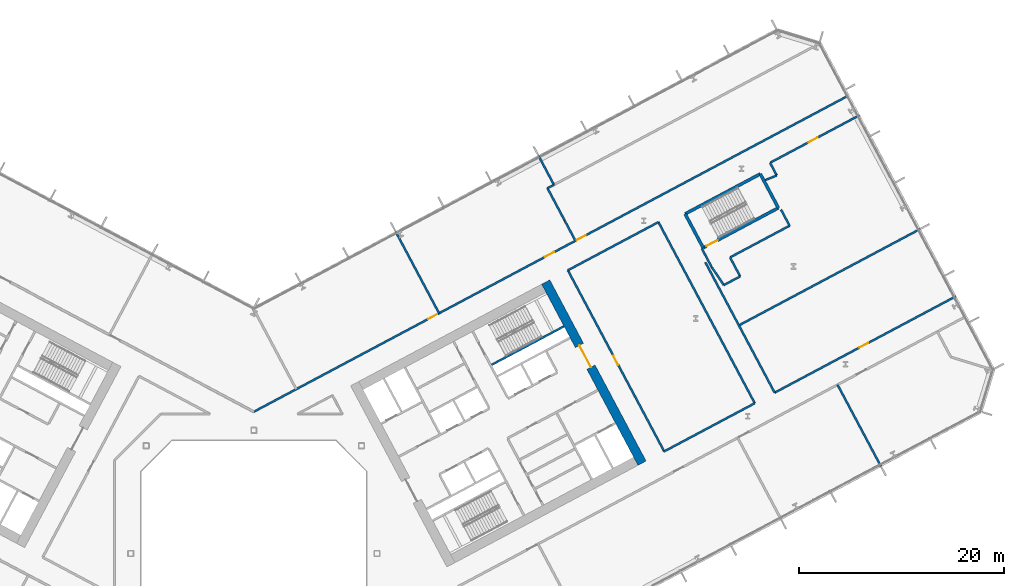
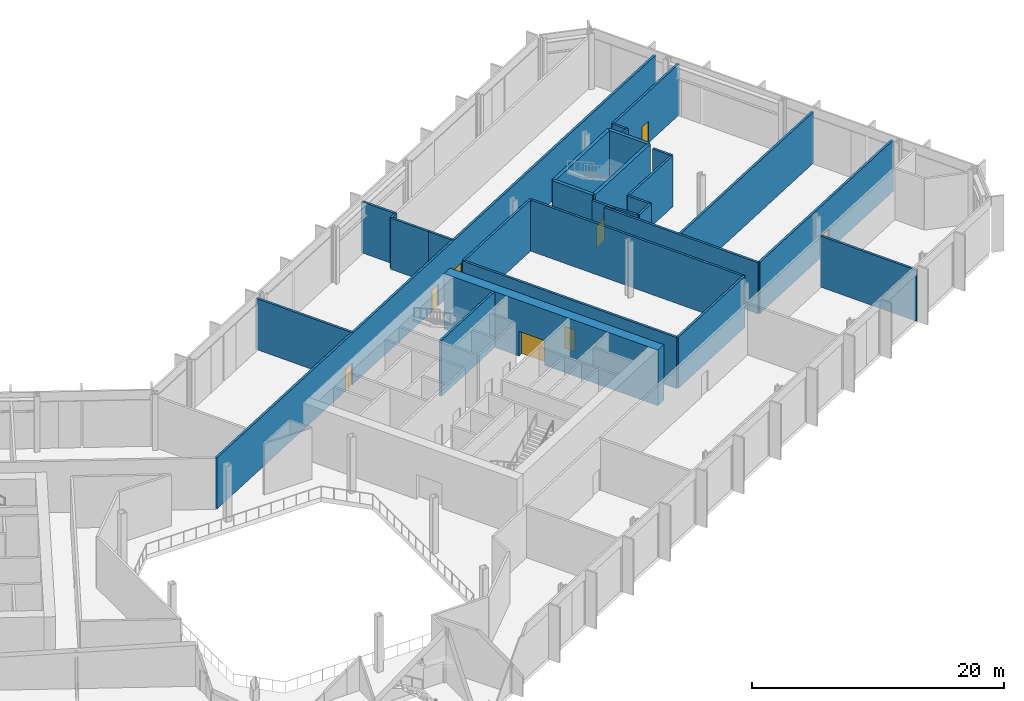
# One storey, part 17 of 32: 29 walls, 8 doors, 8 openings.
"""IFC4 building model written with IfcOpenShell, lengths in metres."""

from ifc_helpers import new_model, si_unit, direction, frame, frame_2d, origin, place, context, subcontext, project, spatial, rectangle, extrude, material, layer, layer_set, type_object, element, fill, save


model = new_model("IFC4")

# Units and contexts
model_context = context("Model", 3, precision=1e-05, world=origin(), true_north=direction((0.0, 1.0)))
body_context = subcontext(model_context, "Body", "Model", "MODEL_VIEW")
ifc_project = project(units=[si_unit("LENGTHUNIT", "METRE"), si_unit("AREAUNIT", "SQUARE_METRE"), si_unit("VOLUMEUNIT", "CUBIC_METRE"), si_unit("PLANEANGLEUNIT", "RADIAN"), si_unit("MASSUNIT", "GRAM", prefix="KILO")], contexts=[model_context])

# Site, building, storey
site_placement = place(None, origin())
site = spatial("IfcSite", under=ifc_project, at=site_placement, CompositionType="ELEMENT")
building_placement = place(site_placement, origin())
building = spatial("IfcBuilding", under=site, at=building_placement, Name="Cormorant Relay Tower", CompositionType="ELEMENT")
storey_placement = place(building_placement, frame((0.0, 0.0, 39.199951171875)))
storey = spatial("IfcBuildingStorey", under=building, at=storey_placement, Name="L07", CompositionType="ELEMENT", Elevation=39.199951171875)

# Wall
ifc_material_1 = material(Name="Concrete 50 MPa", Category="concrete")
ifc_layer_1 = layer(ifc_material_1, 0.199951171875)
ifc_layer_set_1 = layer_set([ifc_layer_1], Name="Core shaft wall 200")
wall_type_1 = type_object("IfcWallType", Name="Core shaft wall 200", PredefinedType="SHEAR", material=ifc_layer_set_1)
wall_1_placement = place(storey_placement, frame((23.18212890625, 18.385498046875, 0.0), z_axis=(0.0, 0.0, 1.0), x_axis=(0.88295287151, 0.469461634952, 0.0)))
element("IfcWall", 1, at=wall_1_placement, inside=storey, type_object=wall_type_1, Name="L07 core B shaft wall", PredefinedType="SHEAR", context=body_context, shape_type="SweptSolid", body=[
    extrude(rectangle(XDim=7.999755859375, YDim=0.199951171875, at=frame_2d((4.0, 0.0))), origin(), (0.0, 0.0, 1.0), 5.400146484375),
])

# Wall, opening, door
ifc_material_2 = material(Name="Concrete 70 MPa", Category="concrete")
ifc_layer_2 = layer(ifc_material_2, 0.89990234375)
ifc_layer_set_2 = layer_set([ifc_layer_2], Name="Core wall 900")
wall_type_2 = type_object("IfcWallType", Name="Core wall 900", PredefinedType="SHEAR", material=ifc_layer_set_2)
wall_2_placement = place(storey_placement, frame((37.849365234375, 8.799072265625, 0.0), z_axis=(0.0, 0.0, 1.0), x_axis=(-0.469465789982, 0.882950662289, 0.0)))
wall_2 = element("IfcWall", 2, at=wall_2_placement, inside=storey, type_object=wall_type_2, Name="L07 core B wall", PredefinedType="SHEAR", context=body_context, shape_type="SweptSolid", body=[
    extrude(rectangle(XDim=20.000244140625, YDim=0.89990234375, at=frame_2d((10.0, 0.0))), origin(), (0.0, 0.0, 1.0), 5.400146484375),
])
opening_1_placement = place(wall_2_placement, frame((10.60009765625, 0.0, 0.0)))
opening_1 = element("IfcOpeningElement", 3, at=opening_1_placement, cuts=wall_2, Name="Opening CDA-016", PredefinedType="OPENING", context=body_context, shape_type="SweptSolid", body=[
    extrude(rectangle(XDim=2.39990234375, YDim=2.39990234375, at=frame_2d((1.199951171875, 1.199951171875))), frame((0.0, 0.4599609375, 0.0), z_axis=(0.0, -1.0, 0.0), x_axis=(1.0, 0.0, 0.0)), (0.0, 0.0, 1.0), 0.919921875),
])
ifc_material_3 = material(Name="Steel fire door", Category="steel")
door_type_1 = type_object("IfcDoorType", Name="Core lobby door 2400x2400", OperationType="DOUBLE_DOOR_SINGLE_SWING", PredefinedType="DOOR", material=ifc_material_3)
door_1_placement = place(opening_1_placement, origin())
door_1 = element("IfcDoor", 4, at=door_1_placement, inside=storey, type_object=door_type_1, Name="Core lobby door 2400x2400", OperationType="DOUBLE_DOOR_SINGLE_SWING", OverallHeight=2.39990234375, OverallWidth=2.39990234375, PredefinedType="DOOR", context=body_context, shape_type="SweptSolid", body=[
    extrude(rectangle(XDim=2.39990234375, YDim=2.39990234375, at=frame_2d((1.199951171875, 1.199951171875))), frame((0.0, 0.02490234375, 0.0), z_axis=(0.0, -1.0, 0.0), x_axis=(1.0, 0.0, 0.0)), (0.0, 0.0, 1.0), 0.050048828125),
])
fill(opening_1, door_1)

# Wall, openings, doors
ifc_material_4 = material(Name="Fire-rated gypsum board partition")
ifc_layer_3 = layer(ifc_material_4, 0.199951171875)
ifc_layer_set_3 = layer_set([ifc_layer_3], Name="Fire-rated gypsum partition 200")
wall_type_3 = type_object("IfcWallType", Name="Fire-rated gypsum partition 200", PredefinedType="PARTITIONING", material=ifc_layer_set_3)
wall_3_placement = place(storey_placement, frame((0.0, 13.81494140625, 0.0), z_axis=(0.0, 0.0, 1.0), x_axis=(0.882946053005, 0.469474458819, 0.0)))
wall_3 = element("IfcWall", 5, at=wall_3_placement, inside=storey, type_object=wall_type_3, Name="wall/L07/part/9", PredefinedType="PARTITIONING", context=body_context, shape_type="SweptSolid", body=[
    extrude(rectangle(XDim=65.714111328125, YDim=0.199951171875, at=frame_2d((32.85693359375, 0.0))), origin(), (0.0, 0.0, 1.0), 4.949951171875),
])
opening_2_placement = place(wall_3_placement, frame((35.64990234375, 0.0, 0.0)))
opening_2 = element("IfcOpeningElement", 6, at=opening_2_placement, cuts=wall_3, Name="Opening FD1-041", PredefinedType="OPENING", context=body_context, shape_type="SweptSolid", body=[
    extrude(rectangle(XDim=1.0, YDim=2.10009765625, at=frame_2d((0.5, 1.050048828125))), frame((0.0, 0.10986328125, 0.0), z_axis=(0.0, -1.0, 0.0), x_axis=(1.0, 0.0, 0.0)), (0.0, 0.0, 1.0), 0.219970703125),
])
opening_3_placement = place(wall_3_placement, frame((32.14990234375, 0.0, 0.0)))
opening_3 = element("IfcOpeningElement", 7, at=opening_3_placement, cuts=wall_3, Name="Opening FD1-042", PredefinedType="OPENING", context=body_context, shape_type="SweptSolid", body=[
    extrude(rectangle(XDim=1.0, YDim=2.10009765625, at=frame_2d((0.5, 1.050048828125))), frame((0.0, 0.10986328125, 0.0), z_axis=(0.0, -1.0, 0.0), x_axis=(1.0, 0.0, 0.0)), (0.0, 0.0, 1.0), 0.219970703125),
])
opening_4_placement = place(wall_3_placement, frame((19.25, 0.0, 0.0)))
opening_4 = element("IfcOpeningElement", 8, at=opening_4_placement, cuts=wall_3, Name="Opening FD1-043", PredefinedType="OPENING", context=body_context, shape_type="SweptSolid", body=[
    extrude(rectangle(XDim=1.0, YDim=2.10009765625, at=frame_2d((0.5, 1.050048828125))), frame((0.0, 0.10986328125, 0.0), z_axis=(0.0, -1.0, 0.0), x_axis=(1.0, 0.0, 0.0)), (0.0, 0.0, 1.0), 0.219970703125),
])
ifc_material_5 = material(Name="Fire-rated steel door", Category="steel")
door_type_2 = type_object("IfcDoorType", Name="Fire door 1000 x 2100", OperationType="SINGLE_SWING_LEFT", PredefinedType="DOOR", material=ifc_material_5)
door_2_placement = place(opening_2_placement, origin())
door_2 = element("IfcDoor", 9, at=door_2_placement, inside=storey, type_object=door_type_2, Name="door/L07/4", OperationType="SINGLE_SWING_LEFT", OverallHeight=2.10009765625, OverallWidth=1.0, PredefinedType="DOOR", context=body_context, shape_type="SweptSolid", body=[
    extrude(rectangle(XDim=1.0, YDim=2.10009765625, at=frame_2d((0.5, 1.050048828125))), frame((0.0, 0.02490234375, 0.0), z_axis=(0.0, -1.0, 0.0), x_axis=(1.0, 0.0, 0.0)), (0.0, 0.0, 1.0), 0.050048828125),
])
fill(opening_2, door_2)
door_3_placement = place(opening_3_placement, origin())
door_3 = element("IfcDoor", 10, at=door_3_placement, inside=storey, type_object=door_type_2, Name="door/L07/5", OperationType="SINGLE_SWING_LEFT", OverallHeight=2.10009765625, OverallWidth=1.0, PredefinedType="DOOR", context=body_context, shape_type="SweptSolid", body=[
    extrude(rectangle(XDim=1.0, YDim=2.10009765625, at=frame_2d((0.5, 1.050048828125))), frame((0.0, 0.02490234375, 0.0), z_axis=(0.0, -1.0, 0.0), x_axis=(1.0, 0.0, 0.0)), (0.0, 0.0, 1.0), 0.050048828125),
])
fill(opening_3, door_3)
door_4_placement = place(opening_4_placement, origin())
door_4 = element("IfcDoor", 11, at=door_4_placement, inside=storey, type_object=door_type_2, Name="door/L07/6", OperationType="SINGLE_SWING_RIGHT", OverallHeight=2.10009765625, OverallWidth=1.0, PredefinedType="DOOR", context=body_context, shape_type="SweptSolid", body=[
    extrude(rectangle(XDim=1.0, YDim=2.10009765625, at=frame_2d((0.5, 1.050048828125))), frame((0.0, 0.02490234375, 0.0), z_axis=(0.0, -1.0, 0.0), x_axis=(1.0, 0.0, 0.0)), (0.0, 0.0, 1.0), 0.050048828125),
])
fill(opening_4, door_4)

# Walls
wall_4_placement = place(storey_placement, frame((13.833984375, 31.365966796875, 0.0), z_axis=(0.0, 0.0, 1.0), x_axis=(0.46934623538, -0.883014219214, 0.0)))
element("IfcWall", 12, at=wall_4_placement, inside=storey, type_object=wall_type_3, Name="wall/L07/part/26", PredefinedType="PARTITIONING", context=body_context, shape_type="SweptSolid", body=[
    extrude(rectangle(XDim=9.002197265625, YDim=0.199951171875, at=frame_2d((4.5009765625, 0.0))), origin(), (0.0, 0.0, 1.0), 4.949951171875),
])
wall_5_placement = place(storey_placement, frame((30.306884765625, 32.4619140625, 0.0), z_axis=(0.0, 0.0, 1.0), x_axis=(0.469652813312, -0.882851196379, 0.0)))
element("IfcWall", 13, at=wall_5_placement, inside=storey, type_object=wall_type_3, Name="wall/L07/part/34", PredefinedType="PARTITIONING", context=body_context, shape_type="SweptSolid", body=[
    extrude(rectangle(XDim=2.23583984375, YDim=0.199951171875, at=frame_2d((1.117919921875, 0.0))), origin(), (0.0, 0.0, 1.0), 4.949951171875),
])
wall_6_placement = place(storey_placement, frame((27.760009765625, 38.77099609375, 0.0), z_axis=(0.0, 0.0, 1.0), x_axis=(0.469320691295, -0.883027796121, 0.0)))
element("IfcWall", 14, at=wall_6_placement, inside=storey, type_object=wall_type_3, Name="wall/L07/part/36", PredefinedType="PARTITIONING", context=body_context, shape_type="SweptSolid", body=[
    extrude(rectangle(XDim=3.2001953125, YDim=0.199951171875, at=frame_2d((1.60009765625, 0.0))), origin(), (0.0, 0.0, 1.0), 4.949951171875),
])
wall_7_placement = place(storey_placement, frame((30.306884765625, 32.4619140625, 0.0), z_axis=(0.0, 0.0, 1.0), x_axis=(-0.469337071246, 0.883019090141, 0.0)))
element("IfcWall", 15, at=wall_7_placement, inside=storey, type_object=wall_type_3, Name="wall/L07/part/38", PredefinedType="PARTITIONING", context=body_context, shape_type="SweptSolid", body=[
    extrude(rectangle(XDim=3.56640625, YDim=0.199951171875, at=frame_2d((1.783203125, 0.0))), origin(), (0.0, 0.0, 1.0), 4.949951171875),
])
wall_8_placement = place(storey_placement, frame((28.633056640625, 35.611083984375, 0.0), z_axis=(0.0, 0.0, 1.0), x_axis=(0.882581167339, 0.470160061106, 0.0)))
element("IfcWall", 16, at=wall_8_placement, inside=storey, type_object=wall_type_3, Name="wall/L07/part/39", PredefinedType="PARTITIONING", context=body_context, shape_type="SweptSolid", body=[
    extrude(rectangle(XDim=0.71044921875, YDim=0.199951171875, at=frame_2d((0.355224609375, 0.0))), origin(), (0.0, 0.0, 1.0), 4.949951171875),
])
wall_9_placement = place(storey_placement, frame((44.028076171875, 28.3798828125, 0.0), z_axis=(0.0, 0.0, 1.0), x_axis=(0.469474817112, -0.882945862495, 0.0)))
element("IfcWall", 17, at=wall_9_placement, inside=storey, type_object=wall_type_3, Name="wall/L07/part/41", PredefinedType="PARTITIONING", context=body_context, shape_type="SweptSolid", body=[
    extrude(rectangle(XDim=14.39013671875, YDim=0.199951171875, at=frame_2d((7.195068359375, 0.0))), origin(), (0.0, 0.0, 1.0), 4.949951171875),
])

# Wall, opening, door
wall_10_placement = place(storey_placement, frame((50.783935546875, 15.674072265625, 0.0), z_axis=(0.0, 0.0, 1.0), x_axis=(0.882931064856, 0.469502646119, 0.0)))
wall_10 = element("IfcWall", 18, at=wall_10_placement, inside=storey, type_object=wall_type_3, Name="wall/L07/part/42", PredefinedType="PARTITIONING", context=body_context, shape_type="SweptSolid", body=[
    extrude(rectangle(XDim=20.001708984375, YDim=0.199951171875, at=frame_2d((10.0009765625, 0.0))), origin(), (0.0, 0.0, 1.0), 4.949951171875),
])
opening_5_placement = place(wall_10_placement, frame((9.35009765625, 0.0, 0.0)))
opening_5 = element("IfcOpeningElement", 19, at=opening_5_placement, cuts=wall_10, Name="Opening FD1-038", PredefinedType="OPENING", context=body_context, shape_type="SweptSolid", body=[
    extrude(rectangle(XDim=1.0, YDim=2.10009765625, at=frame_2d((0.5, 1.050048828125))), frame((0.0, 0.10986328125, 0.0), z_axis=(0.0, -1.0, 0.0), x_axis=(1.0, 0.0, 0.0)), (0.0, 0.0, 1.0), 0.219970703125),
])
door_5_placement = place(opening_5_placement, origin())
door_5 = element("IfcDoor", 20, at=door_5_placement, inside=storey, type_object=door_type_2, Name="door/L07/21", OperationType="SINGLE_SWING_LEFT", OverallHeight=2.10009765625, OverallWidth=1.0, PredefinedType="DOOR", context=body_context, shape_type="SweptSolid", body=[
    extrude(rectangle(XDim=1.0, YDim=2.10009765625, at=frame_2d((0.5, 1.050048828125))), frame((0.0, 0.02490234375, 0.0), z_axis=(0.0, -1.0, 0.0), x_axis=(1.0, 0.0, 0.0)), (0.0, 0.0, 1.0), 0.050048828125),
])
fill(opening_5, door_5)

# Walls
wall_11_placement = place(storey_placement, frame((64.9560546875, 31.625, 0.0), z_axis=(0.0, 0.0, 1.0), x_axis=(-0.882962064064, -0.469444345396, 0.0)))
element("IfcWall", 21, at=wall_11_placement, inside=storey, type_object=wall_type_3, Name="wall/L07/part/43", PredefinedType="PARTITIONING", context=body_context, shape_type="SweptSolid", body=[
    extrude(rectangle(XDim=20.002197265625, YDim=0.199951171875, at=frame_2d((10.0009765625, 0.0))), origin(), (0.0, 0.0, 1.0), 4.949951171875),
])
wall_12_placement = place(storey_placement, frame((44.641357421875, 27.9248046875, 0.0), z_axis=(0.0, 0.0, 1.0), x_axis=(-0.469289400299, 0.88304442627, 0.0)))
element("IfcWall", 22, at=wall_12_placement, inside=storey, type_object=wall_type_3, Name="wall/L07/part/44", PredefinedType="PARTITIONING", context=body_context, shape_type="SweptSolid", body=[
    extrude(rectangle(XDim=2.039794921875, YDim=0.199951171875, at=frame_2d((1.02001953125, 0.0))), origin(), (0.0, 0.0, 1.0), 4.949951171875),
])
wall_13_placement = place(storey_placement, frame((46.43603515625, 28.863037109375, 0.0), z_axis=(0.0, 0.0, 1.0), x_axis=(0.469342548312, -0.883016178982, 0.0)))
element("IfcWall", 23, at=wall_13_placement, inside=storey, type_object=wall_type_3, Name="wall/L07/part/45", PredefinedType="PARTITIONING", context=body_context, shape_type="SweptSolid", body=[
    extrude(rectangle(XDim=2.09619140625, YDim=0.199951171875, at=frame_2d((1.048095703125, 0.0))), origin(), (0.0, 0.0, 1.0), 4.949951171875),
])
wall_14_placement = place(storey_placement, frame((47.419921875, 27.011962890625, 0.0), z_axis=(0.0, 0.0, 1.0), x_axis=(-0.882911879422, -0.469538723829, 0.0)))
element("IfcWall", 24, at=wall_14_placement, inside=storey, type_object=wall_type_3, Name="wall/L07/part/46", PredefinedType="PARTITIONING", context=body_context, shape_type="SweptSolid", body=[
    extrude(rectangle(XDim=1.799560546875, YDim=0.199951171875, at=frame_2d((0.89990234375, 0.0))), origin(), (0.0, 0.0, 1.0), 4.949951171875),
])
wall_15_placement = place(storey_placement, frame((45.8310546875, 26.1669921875, 0.0), z_axis=(0.0, 0.0, 1.0), x_axis=(-0.560924797645, 0.827866759441, 0.0)))
element("IfcWall", 25, at=wall_15_placement, inside=storey, type_object=wall_type_3, Name="wall/L07/part/47", PredefinedType="PARTITIONING", context=body_context, shape_type="SweptSolid", body=[
    extrude(rectangle(XDim=2.11279296875, YDim=0.199951171875, at=frame_2d((1.056396484375, 0.0))), origin(), (0.0, 0.0, 1.0), 4.949951171875),
])
wall_16_placement = place(storey_placement, frame((51.404052734375, 33.52490234375, 0.0), z_axis=(0.0, 0.0, 1.0), x_axis=(0.469078340822, -0.883156560396, 0.0)))
element("IfcWall", 26, at=wall_16_placement, inside=storey, type_object=wall_type_3, Name="wall/L07/part/48", PredefinedType="PARTITIONING", context=body_context, shape_type="SweptSolid", body=[
    extrude(rectangle(XDim=1.780029296875, YDim=0.199951171875, at=frame_2d((0.89013671875, 0.0))), origin(), (0.0, 0.0, 1.0), 4.949951171875),
])
wall_17_placement = place(storey_placement, frame((52.239013671875, 31.952880859375, 0.0), z_axis=(0.0, 0.0, 1.0), x_axis=(-0.882908561856, -0.469544962065, 0.0)))
element("IfcWall", 27, at=wall_17_placement, inside=storey, type_object=wall_type_3, Name="wall/L07/part/49", PredefinedType="PARTITIONING", context=body_context, shape_type="SweptSolid", body=[
    extrude(rectangle(XDim=6.548828125, YDim=0.199951171875, at=frame_2d((3.2744140625, 0.0))), origin(), (0.0, 0.0, 1.0), 4.949951171875),
])
wall_18_placement = place(storey_placement, frame((49.859130859375, 36.397216796875, 0.0), z_axis=(0.0, 0.0, 1.0), x_axis=(0.927439235731, 0.373973881477, 0.0)))
element("IfcWall", 28, at=wall_18_placement, inside=storey, type_object=wall_type_3, Name="wall/L07/part/50", PredefinedType="PARTITIONING", context=body_context, shape_type="SweptSolid", body=[
    extrude(rectangle(XDim=1.221435546875, YDim=0.199951171875, at=frame_2d((0.61083984375, 0.0))), origin(), (0.0, 0.0, 1.0), 4.949951171875),
])
wall_19_placement = place(storey_placement, frame((50.3369140625, 38.0869140625, 0.0), z_axis=(0.0, 0.0, 1.0), x_axis=(0.469436222784, -0.882966382564, 0.0)))
element("IfcWall", 29, at=wall_19_placement, inside=storey, type_object=wall_type_3, Name="wall/L07/part/51", PredefinedType="PARTITIONING", context=body_context, shape_type="SweptSolid", body=[
    extrude(rectangle(XDim=1.3974609375, YDim=0.199951171875, at=frame_2d((0.69873046875, 0.0))), origin(), (0.0, 0.0, 1.0), 4.949951171875),
])

# Wall, opening, door
wall_20_placement = place(storey_placement, frame((50.3349609375, 38.091064453125, 0.0), z_axis=(0.0, 0.0, 1.0), x_axis=(0.882925167554, 0.46951373622, 0.0)))
wall_20 = element("IfcWall", 30, at=wall_20_placement, inside=storey, type_object=wall_type_3, Name="wall/L07/part/52", PredefinedType="PARTITIONING", context=body_context, shape_type="SweptSolid", body=[
    extrude(rectangle(XDim=9.8740234375, YDim=0.199951171875, at=frame_2d((4.93701171875, 0.0))), origin(), (0.0, 0.0, 1.0), 4.949951171875),
])
opening_6_placement = place(wall_20_placement, frame((4.25, 0.0, 0.0)))
opening_6 = element("IfcOpeningElement", 31, at=opening_6_placement, cuts=wall_20, Name="Opening FD1-039", PredefinedType="OPENING", context=body_context, shape_type="SweptSolid", body=[
    extrude(rectangle(XDim=1.0, YDim=2.10009765625, at=frame_2d((0.5, 1.050048828125))), frame((0.0, 0.10986328125, 0.0), z_axis=(0.0, -1.0, 0.0), x_axis=(1.0, 0.0, 0.0)), (0.0, 0.0, 1.0), 0.219970703125),
])
door_6_placement = place(opening_6_placement, frame((1.0, 0.0, 0.0), z_axis=(0.0, 0.0, 1.0), x_axis=(-1.0, 0.0, 0.0)))
door_6 = element("IfcDoor", 32, at=door_6_placement, inside=storey, type_object=door_type_2, Name="door/L07/22", OperationType="SINGLE_SWING_RIGHT", OverallHeight=2.10009765625, OverallWidth=1.0, PredefinedType="DOOR", context=body_context, shape_type="SweptSolid", body=[
    extrude(rectangle(XDim=1.0, YDim=2.10009765625, at=frame_2d((0.5, 1.050048828125))), frame((0.0, 0.02490234375, 0.0), z_axis=(0.0, -1.0, 0.0), x_axis=(1.0, 0.0, 0.0)), (0.0, 0.0, 1.0), 0.050048828125),
])
fill(opening_6, door_6)

# Walls
wall_21_placement = place(storey_placement, frame((56.916015625, 16.447998046875, 0.0), z_axis=(0.0, 0.0, 1.0), x_axis=(0.469430813661, -0.882969258347, 0.0)))
element("IfcWall", 33, at=wall_21_placement, inside=storey, type_object=wall_type_3, Name="wall/L07/part/53", PredefinedType="PARTITIONING", context=body_context, shape_type="SweptSolid", body=[
    extrude(rectangle(XDim=9.00244140625, YDim=0.199951171875, at=frame_2d((4.501220703125, 0.0))), origin(), (0.0, 0.0, 1.0), 4.949951171875),
])
wall_22_placement = place(storey_placement, frame((30.6201171875, 27.60888671875, 0.0), z_axis=(0.0, 0.0, 1.0), x_axis=(0.882924481944, 0.469515025515, 0.0)))
element("IfcWall", 34, at=wall_22_placement, inside=storey, type_object=wall_type_3, Name="wall/L07/part/65", PredefinedType="PARTITIONING", context=body_context, shape_type="SweptSolid", body=[
    extrude(rectangle(XDim=10.00390625, YDim=0.199951171875, at=frame_2d((5.001953125, 0.0))), origin(), (0.0, 0.0, 1.0), 4.949951171875),
])
wall_23_placement = place(storey_placement, frame((39.452880859375, 32.305908203125, 0.0), z_axis=(0.0, 0.0, 1.0), x_axis=(0.469494565876, -0.882935361514, 0.0)))
element("IfcWall", 35, at=wall_23_placement, inside=storey, type_object=wall_type_3, Name="wall/L07/part/66", PredefinedType="PARTITIONING", context=body_context, shape_type="SweptSolid", body=[
    extrude(rectangle(XDim=20.004638671875, YDim=0.199951171875, at=frame_2d((10.00244140625, 0.0))), origin(), (0.0, 0.0, 1.0), 4.949951171875),
])
wall_24_placement = place(storey_placement, frame((48.844970703125, 14.64306640625, 0.0), z_axis=(0.0, 0.0, 1.0), x_axis=(-0.882970325556, -0.469428806304, 0.0)))
element("IfcWall", 36, at=wall_24_placement, inside=storey, type_object=wall_type_3, Name="wall/L07/part/67", PredefinedType="PARTITIONING", context=body_context, shape_type="SweptSolid", body=[
    extrude(rectangle(XDim=10.003662109375, YDim=0.199951171875, at=frame_2d((5.001953125, 0.0))), origin(), (0.0, 0.0, 1.0), 4.949951171875),
])

# Wall, opening, door
wall_25_placement = place(storey_placement, frame((40.011962890625, 9.947021484375, 0.0), z_axis=(0.0, 0.0, 1.0), x_axis=(-0.469505288447, 0.882929659781, 0.0)))
wall_25 = element("IfcWall", 37, at=wall_25_placement, inside=storey, type_object=wall_type_3, Name="wall/L07/part/68", PredefinedType="PARTITIONING", context=body_context, shape_type="SweptSolid", body=[
    extrude(rectangle(XDim=20.003662109375, YDim=0.199951171875, at=frame_2d((10.001953125, 0.0))), origin(), (0.0, 0.0, 1.0), 4.949951171875),
])
opening_7_placement = place(wall_25_placement, frame((9.550048828125, 0.0, 0.0)))
opening_7 = element("IfcOpeningElement", 38, at=opening_7_placement, cuts=wall_25, Name="Opening FD1-037", PredefinedType="OPENING", context=body_context, shape_type="SweptSolid", body=[
    extrude(rectangle(XDim=1.0, YDim=2.10009765625, at=frame_2d((0.5, 1.050048828125))), frame((0.0, 0.10986328125, 0.0), z_axis=(0.0, -1.0, 0.0), x_axis=(1.0, 0.0, 0.0)), (0.0, 0.0, 1.0), 0.219970703125),
])
door_7_placement = place(opening_7_placement, origin())
door_7 = element("IfcDoor", 39, at=door_7_placement, inside=storey, type_object=door_type_2, Name="door/L07/20", OperationType="SINGLE_SWING_RIGHT", OverallHeight=2.10009765625, OverallWidth=1.0, PredefinedType="DOOR", context=body_context, shape_type="SweptSolid", body=[
    extrude(rectangle(XDim=1.0, YDim=2.10009765625, at=frame_2d((0.5, 1.050048828125))), frame((0.0, 0.02490234375, 0.0), z_axis=(0.0, -1.0, 0.0), x_axis=(1.0, 0.0, 0.0)), (0.0, 0.0, 1.0), 0.050048828125),
])
fill(opening_7, door_7)

# Wall
ifc_material_6 = material(Name="Concrete 50 MPa", Category="concrete")
ifc_layer_4 = layer(ifc_material_6, 0.300048828125)
ifc_layer_set_4 = layer_set([ifc_layer_4], Name="Remote stair wall 300")
wall_type_4 = type_object("IfcWallType", Name="Remote stair wall 300", PredefinedType="SHEAR", material=ifc_layer_set_4)
wall_26_placement = place(storey_placement, frame((49.384033203125, 37.00390625, 0.0), z_axis=(0.0, 0.0, 1.0), x_axis=(0.46946936446, -0.882948761726, 0.0)))
element("IfcWall", 40, at=wall_26_placement, inside=storey, type_object=wall_type_4, Name="L07 exit stair RB1 wall", PredefinedType="SHEAR", context=body_context, shape_type="SweptSolid", body=[
    extrude(rectangle(XDim=3.75, YDim=0.300048828125, at=frame_2d((1.875, 0.0))), origin(), (0.0, 0.0, 1.0), 5.400146484375),
])

# Wall, opening, door
wall_27_placement = place(storey_placement, frame((51.14453125, 33.69287109375, 0.0), z_axis=(0.0, 0.0, 1.0), x_axis=(-0.882945809314, -0.469474917132, 0.0)))
wall_27 = element("IfcWall", 41, at=wall_27_placement, inside=storey, type_object=wall_type_4, Name="L07 exit stair RB1 wall", PredefinedType="SHEAR", context=body_context, shape_type="SweptSolid", body=[
    extrude(rectangle(XDim=8.30029296875, YDim=0.300048828125, at=frame_2d((4.150146484375, 0.0))), origin(), (0.0, 0.0, 1.0), 5.400146484375),
])
opening_8_placement = place(wall_27_placement, frame((6.72509765625, 0.0, 0.0)))
opening_8 = element("IfcOpeningElement", 42, at=opening_8_placement, cuts=wall_27, Name="Opening CDB-023", PredefinedType="OPENING", context=body_context, shape_type="SweptSolid", body=[
    extrude(rectangle(XDim=1.199951171875, YDim=2.10009765625, at=frame_2d((0.60009765625, 1.050048828125))), frame((0.0, 0.159912109375, 0.0), z_axis=(0.0, -1.0, 0.0), x_axis=(1.0, 0.0, 0.0)), (0.0, 0.0, 1.0), 0.320068359375),
])
ifc_material_7 = material(Name="Steel fire door", Category="steel")
door_type_3 = type_object("IfcDoorType", Name="Core stair door 1200x2100", OperationType="SINGLE_SWING_LEFT", PredefinedType="DOOR", material=ifc_material_7)
door_8_placement = place(opening_8_placement, frame((1.199951171875, 0.0, 0.0), z_axis=(0.0, 0.0, 1.0), x_axis=(-1.0, 0.0, 0.0)))
door_8 = element("IfcDoor", 43, at=door_8_placement, inside=storey, type_object=door_type_3, Name="Exit stair RB1 door", OperationType="SINGLE_SWING_LEFT", OverallHeight=2.10009765625, OverallWidth=1.199951171875, PredefinedType="DOOR", context=body_context, shape_type="SweptSolid", body=[
    extrude(rectangle(XDim=1.199951171875, YDim=2.10009765625, at=frame_2d((0.60009765625, 1.050048828125))), frame((0.0, 0.02490234375, 0.0), z_axis=(0.0, -1.0, 0.0), x_axis=(1.0, 0.0, 0.0)), (0.0, 0.0, 1.0), 0.050048828125),
])
fill(opening_8, door_8)

# Walls
wall_28_placement = place(storey_placement, frame((43.81591796875, 29.796142578125, 0.0), z_axis=(0.0, 0.0, 1.0), x_axis=(-0.46946936446, 0.882948761726, 0.0)))
element("IfcWall", 44, at=wall_28_placement, inside=storey, type_object=wall_type_4, Name="L07 exit stair RB1 wall", PredefinedType="SHEAR", context=body_context, shape_type="SweptSolid", body=[
    extrude(rectangle(XDim=3.75, YDim=0.300048828125, at=frame_2d((1.875, 0.0))), origin(), (0.0, 0.0, 1.0), 5.400146484375),
])
wall_29_placement = place(storey_placement, frame((42.055419921875, 33.107177734375, 0.0), z_axis=(0.0, 0.0, 1.0), x_axis=(0.882945809314, 0.469474917132, 0.0)))
element("IfcWall", 45, at=wall_29_placement, inside=storey, type_object=wall_type_4, Name="L07 exit stair RB1 wall", PredefinedType="SHEAR", context=body_context, shape_type="SweptSolid", body=[
    extrude(rectangle(XDim=8.30029296875, YDim=0.300048828125, at=frame_2d((4.150146484375, 0.0))), origin(), (0.0, 0.0, 1.0), 5.400146484375),
])

save(model, "model.ifc")
